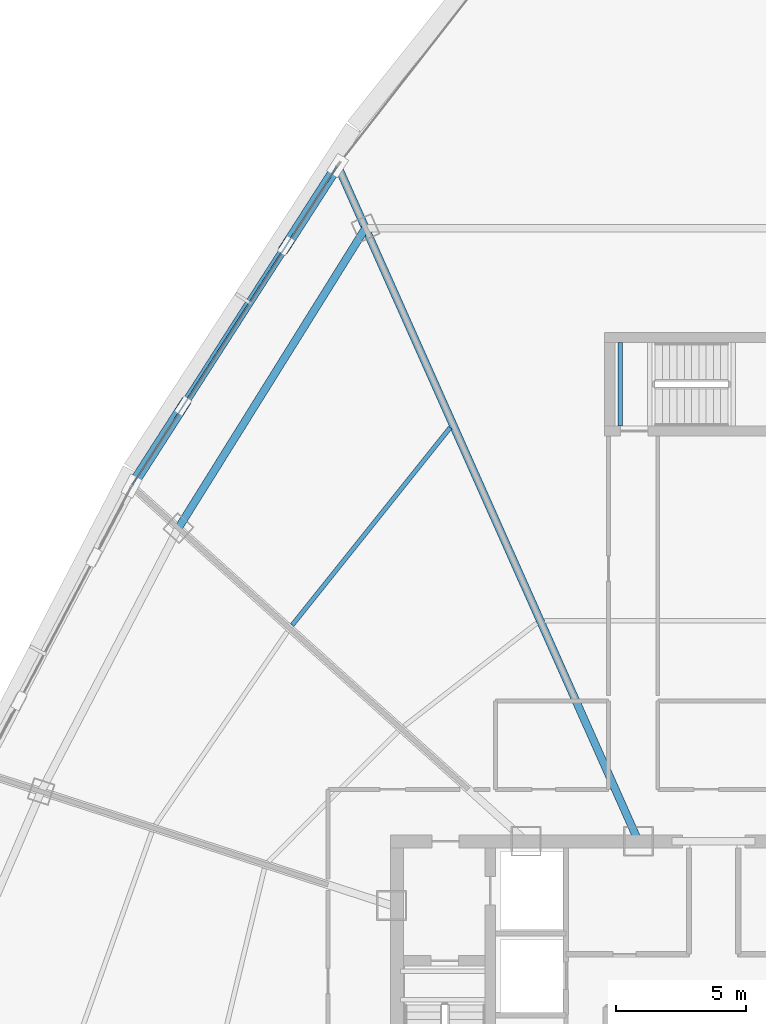
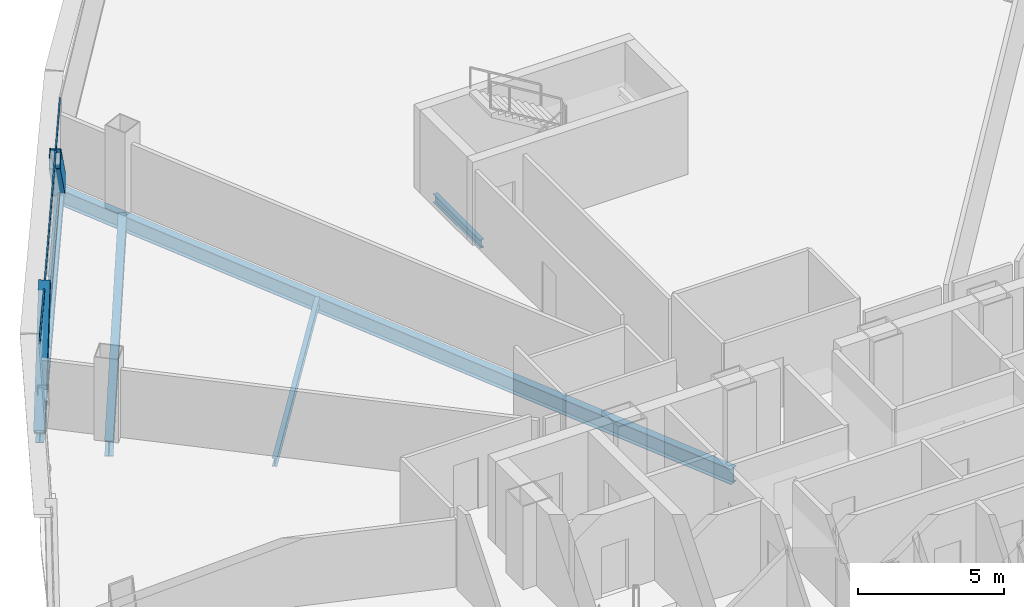
# One storey, part 16 of 37: 5 beams, 4 members, 1 element without a shape of its own.
"""IFC4 building model written with IfcOpenShell, lengths in metres."""

from ifc_helpers import new_model, si_unit, direction, frame, origin, origin_2d, place, context, subcontext, project, spatial, hollow_rectangle, i_section, extrude, source, transform, mapped, material, layer, layer_set, material_profile, profile_set, type_object, element, aggregate, save


model = new_model("IFC4")

# Units and contexts
model_context = context("Model", 3, precision=1e-05, world=origin(), true_north=direction((0.0, 1.0)))
body_context = subcontext(model_context, "Body", "Model", "MODEL_VIEW")
ifc_project = project(units=[si_unit("LENGTHUNIT", "METRE"), si_unit("AREAUNIT", "SQUARE_METRE"), si_unit("VOLUMEUNIT", "CUBIC_METRE"), si_unit("PLANEANGLEUNIT", "RADIAN"), si_unit("MASSUNIT", "GRAM", prefix="KILO"), si_unit("THERMODYNAMICTEMPERATUREUNIT", "KELVIN"), si_unit("POWERUNIT", "WATT")], contexts=[model_context])

# Site, building, storey
site_placement = place(None, origin())
site = spatial("IfcSite", under=ifc_project, at=site_placement, CompositionType="ELEMENT")
building_placement = place(site_placement, origin())
building = spatial("IfcBuilding", under=site, at=building_placement, Name="Yunzhuo Pagoda Commons", CompositionType="ELEMENT")
storey_placement = place(building_placement, frame((0.0, 0.0, 240.800048828125)))
storey = spatial("IfcBuildingStorey", under=building, at=storey_placement, Name="L60", CompositionType="ELEMENT", Elevation=240.800048828125)

# Beams
ifc_material_1 = material(Name="Structural steel Q355B", Category="steel")
ifc_material_profile_1 = material_profile(ifc_material_1, i_section(OverallWidth=0.175048828125, OverallDepth=0.35009765625, WebThickness=0.007080078125, FlangeThickness=0.010986328125, at=origin_2d()), Name="Structural steel Q355B")
ifc_profile_set_1 = profile_set([ifc_material_profile_1], Name="Structural steel Q355B")
beam_type_1 = type_object("IfcBeamType", Name="B-JS2 Joist HN 350x175x7x11", PredefinedType="JOIST", material=ifc_profile_set_1)
shared_shape_1 = source(origin(), body_context, "Body", "SweptSolid", [
    extrude(i_section(OverallWidth=0.175048828125, OverallDepth=0.35009765625, WebThickness=0.007080078125, FlangeThickness=0.010986328125, at=origin_2d()), origin(), (0.0, 0.0, 1.0), 3.199951171875),
])
beam_1_placement = place(storey_placement, frame((44.39990234375, 56.199951171875, -0.375), z_axis=(0.0, 1.0, 0.0), x_axis=(-1.0, 0.0, 0.0)))
element("IfcBeam", 1, at=beam_1_placement, inside=storey, type_object=beam_type_1, Name="L60 ST3 landing support beam 134A", PredefinedType="JOIST", context=body_context, shape_type="MappedRepresentation", body=[
    mapped(shared_shape_1, transform((0.0, 0.0, 0.0), scale=1.0)),
])
ifc_material_profile_2 = material_profile(ifc_material_1, i_section(OverallWidth=0.300048828125, OverallDepth=0.64990234375, WebThickness=0.012939453125, FlangeThickness=0.02197265625, at=origin_2d()), Name="Structural steel Q355B")
ifc_profile_set_2 = profile_set([ifc_material_profile_2], Name="Structural steel Q355B")
beam_type_2 = type_object("IfcBeamType", Name="B-RG2 Beam HN 650x300x13x22", PredefinedType="BEAM", material=ifc_profile_set_2)
shared_shape_2 = source(origin(), body_context, "Body", "SweptSolid", [
    extrude(i_section(OverallWidth=0.300048828125, OverallDepth=0.64990234375, WebThickness=0.012939453125, FlangeThickness=0.02197265625, at=origin_2d()), origin(), (0.0, 0.0, 1.0), 13.615478515625),
])
beam_2_placement = place(storey_placement, frame((34.59326171875, 63.81201171875, -0.5849609375), z_axis=(-0.529178300485, -0.848510651846, 0.0), x_axis=(0.848510651846, -0.529178300485, 0.0)))
element("IfcBeam", 2, at=beam_2_placement, inside=storey, type_object=beam_type_2, Name="L60 column-ring beam 9", PredefinedType="BEAM", context=body_context, shape_type="MappedRepresentation", body=[
    mapped(shared_shape_2, transform((0.0, 0.0, 0.0), scale=1.0)),
])
shared_shape_3 = source(origin(), body_context, "Body", "SweptSolid", [
    extrude(i_section(OverallWidth=0.175048828125, OverallDepth=0.35009765625, WebThickness=0.007080078125, FlangeThickness=0.010986328125, at=origin_2d()), origin(), (0.0, 0.0, 1.0), 9.741455078125),
])
beam_3_placement = place(storey_placement, frame((37.85791015625, 56.1318359375, -0.43505859375), z_axis=(-0.624618636222, -0.780929932378, 0.0), x_axis=(0.780929932378, -0.624618636222, 0.0)))
element("IfcBeam", 3, at=beam_3_placement, inside=storey, type_object=beam_type_1, Name="L60 composite ring joist 2.9", PredefinedType="JOIST", context=body_context, shape_type="MappedRepresentation", body=[
    mapped(shared_shape_3, transform((0.0, 0.0, 0.0), scale=1.0)),
])
shared_shape_4 = source(origin(), body_context, "Body", "SweptSolid", [
    extrude(i_section(OverallWidth=0.300048828125, OverallDepth=0.64990234375, WebThickness=0.012939453125, FlangeThickness=0.02197265625, at=origin_2d()), origin(), (0.0, 0.0, 1.0), 28.330322265625),
])
beam_4_placement = place(storey_placement, frame((33.5830078125, 66.0810546875, -0.5849609375), z_axis=(0.406734861617, -0.913546250797, 0.0), x_axis=(0.913546250797, 0.406734861617, 0.0)))
element("IfcBeam", 4, at=beam_4_placement, inside=storey, type_object=beam_type_2, Name="L60 radial floor girder F3C1", PredefinedType="BEAM", context=body_context, shape_type="MappedRepresentation", body=[
    mapped(shared_shape_4, transform((0.0, 0.0, 0.0), scale=1.0)),
])
ifc_material_profile_3 = material_profile(ifc_material_1, i_section(OverallWidth=0.300048828125, OverallDepth=0.43994140625, WebThickness=0.010986328125, FlangeThickness=0.01806640625, at=origin_2d()), Name="Structural steel Q355B")
ifc_profile_set_3 = profile_set([ifc_material_profile_3], Name="Structural steel Q355B")
beam_type_3 = type_object("IfcBeamType", Name="B-SP2 Beam HM 440x300x11x18", PredefinedType="BEAM", material=ifc_profile_set_3)
shared_shape_5 = source(origin(), body_context, "Body", "SweptSolid", [
    extrude(i_section(OverallWidth=0.300048828125, OverallDepth=0.43994140625, WebThickness=0.010986328125, FlangeThickness=0.01806640625, at=origin_2d()), origin(), (0.0, 0.0, 1.0), 14.671630859375),
])
beam_5_placement = place(storey_placement, frame((33.520263671875, 66.222412109375, -0.47998046875), z_axis=(-0.540624702952, -0.841263888776, 0.0), x_axis=(0.841263888776, -0.540624702952, 0.0)))
element("IfcBeam", 5, at=beam_5_placement, inside=storey, type_object=beam_type_3, Name="L60 facade edge spandrel beam F3.1", PredefinedType="BEAM", context=body_context, shape_type="MappedRepresentation", body=[
    mapped(shared_shape_5, transform((0.0, 0.0, 0.0), scale=1.0)),
])

# Members
ifc_material_profile_4 = material_profile(ifc_material_1, hollow_rectangle(XDim=0.39990234375, YDim=0.719970703125, WallThickness=0.02392578125, at=origin_2d()), Name="Structural steel Q355B")
ifc_profile_set_4 = profile_set([ifc_material_profile_4], Name="Structural steel Q355B")
member_type_1 = type_object("IfcMemberType", Name="M-DL2 Brace BOX 720x400x24", PredefinedType="BRACE", material=ifc_profile_set_4)
shared_shape_6 = source(origin(), body_context, "Body", "SweptSolid", [
    extrude(hollow_rectangle(XDim=0.39990234375, YDim=0.719970703125, WallThickness=0.02392578125, at=origin_2d()), origin(), (0.0, 0.0, 1.0), 5.2314453125),
])
for number, where, z_axis, x_axis, name in (
    (6, (33.520263671875, 66.222412109375, -0.260009765625), (-0.379076793402, -0.589825383702, 0.713026508235), (0.841241184304, -0.540660031656, 0.0), "L60 facade diamond brace F3.1L"),
    (7, (25.58837890625, 53.879638671875, -0.260009765625), (0.379036831274, 0.58983581759, 0.713039121525), (-0.841271456876, 0.540612926081, 0.0), "L60 facade diamond brace F3.1R"),
):
    element("IfcMember", number, at=place(storey_placement, frame(where, z_axis=z_axis, x_axis=x_axis)), inside=storey, type_object=member_type_1, Name=name, PredefinedType="BRACE", context=body_context, shape_type="MappedRepresentation", body=[
        mapped(shared_shape_6, transform((0.0, 0.0, 0.0), scale=1.0)),
    ])

# Curtain wall, members
ifc_material_2 = material(Name="Anodized aluminium 6063-T6", Category="aluminium")
ifc_layer = layer(ifc_material_2, 0.139892578125)
ifc_layer_set = layer_set([ifc_layer], Name="Anodized aluminium 6063-T6")
curtain_wall_type = type_object("IfcCurtainWallType", Name="CW-HI High-Zone Ribbon Curtain Wall", PredefinedType="NOTDEFINED", material=ifc_layer_set)
curtain_wall_placement = place(storey_placement, origin())
curtain_wall = element("IfcCurtainWall", 8, at=curtain_wall_placement, inside=storey, type_object=curtain_wall_type, Name="L60 curtain wall CW-L60-F3B2", PredefinedType="NOTDEFINED")
ifc_material_profile_5 = material_profile(ifc_material_2, hollow_rectangle(XDim=0.054931640625, YDim=0.1201171875, WallThickness=0.00341796875, at=origin_2d()), Name="Anodized aluminium 6063-T6")
ifc_profile_set_5 = profile_set([ifc_material_profile_5], Name="Anodized aluminium 6063-T6")
member_type_2 = type_object("IfcMemberType", Name="CW-HI-T Transom RHS 120x55x3.5", PredefinedType="USERDEFINED", material=ifc_profile_set_5)
shared_shape_7 = source(origin(), body_context, "Body", "SweptSolid", [
    extrude(hollow_rectangle(XDim=0.054931640625, YDim=0.1201171875, WallThickness=0.00341796875, at=origin_2d()), origin(), (0.0, 0.0, 1.0), 14.5517578125),
])
member_1_placement = place(storey_placement, frame((33.487548828125, 66.172119140625, 0.02734375), z_axis=(-0.540605797284, -0.841276037899, 0.0), x_axis=(0.841276037899, -0.540605797284, 0.0)))
member_1 = element("IfcMember", 9, at=member_1_placement, type_object=member_type_2, Name="CW transom 1.1", ObjectType="TRANSOM", PredefinedType="USERDEFINED", context=body_context, shape_type="MappedRepresentation", body=[
    mapped(shared_shape_7, transform((0.0, 0.0, 0.0), scale=1.0)),
])
member_2_placement = place(storey_placement, frame((33.487548828125, 66.172119140625, 3.4423828125), z_axis=(-0.540605797284, -0.841276037899, 0.0), x_axis=(0.841276037899, -0.540605797284, 0.0)))
member_2 = element("IfcMember", 10, at=member_2_placement, type_object=member_type_2, Name="CW transom 1.2", ObjectType="TRANSOM", PredefinedType="USERDEFINED", context=body_context, shape_type="MappedRepresentation", body=[
    mapped(shared_shape_7, transform((0.0, 0.0, 0.0), scale=1.0)),
])
aggregate(curtain_wall, [member_1, member_2])

save(model, "model.ifc")
